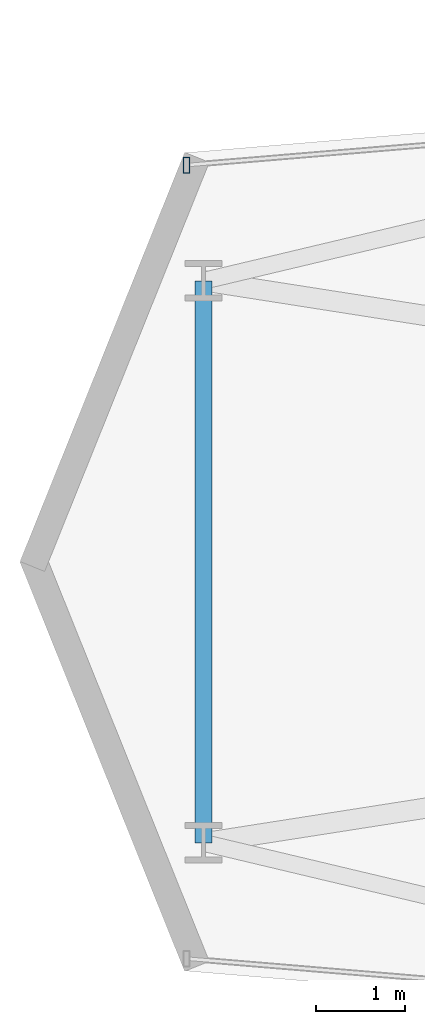
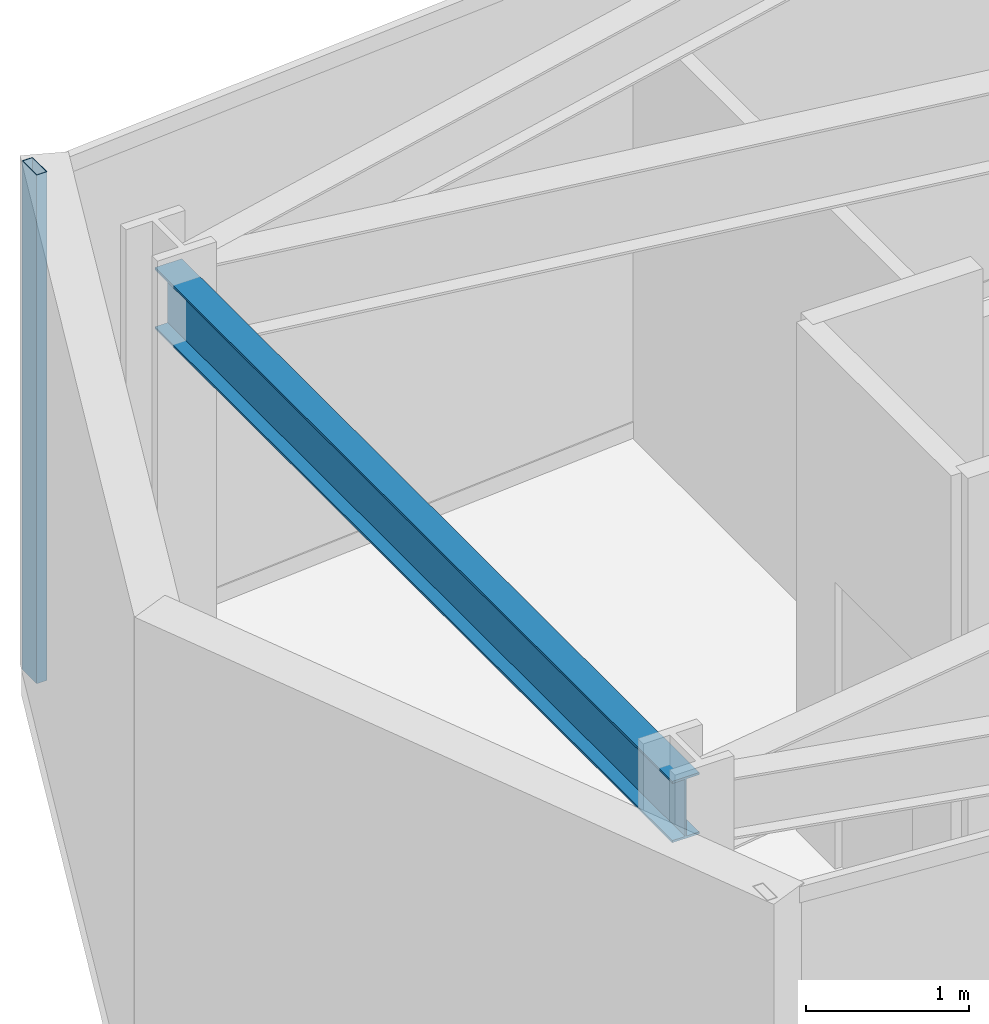
# One storey, part 6 of 26: 1 beam, 1 member, 1 element without a shape of its own.
"""IFC4 building model written with IfcOpenShell, lengths in metres."""

from ifc_helpers import new_model, si_unit, direction, frame, origin, origin_2d, place, context, subcontext, project, spatial, hollow_rectangle, i_section, extrude, material, layer, layer_set, material_profile, profile_set, type_object, element, aggregate, save


model = new_model("IFC4")

# Units and contexts
model_context = context("Model", 3, precision=1e-05, world=origin(), true_north=direction((0.0, 1.0)))
body_context = subcontext(model_context, "Body", "Model", "MODEL_VIEW")
ifc_project = project(units=[si_unit("LENGTHUNIT", "METRE"), si_unit("AREAUNIT", "SQUARE_METRE"), si_unit("VOLUMEUNIT", "CUBIC_METRE"), si_unit("PLANEANGLEUNIT", "RADIAN"), si_unit("MASSUNIT", "GRAM", prefix="KILO")], contexts=[model_context])

# Site, building, storey
site_placement = place(None, origin())
site = spatial("IfcSite", under=ifc_project, at=site_placement, CompositionType="ELEMENT")
building_placement = place(site_placement, origin())
building = spatial("IfcBuilding", under=site, at=building_placement, Name="Veymaron Broadcast Tower", CompositionType="ELEMENT")
storey_placement = place(building_placement, frame((0.0, 0.0, 133.050048828125)))
storey = spatial("IfcBuildingStorey", under=building, at=storey_placement, Name="L30", CompositionType="ELEMENT", Elevation=133.050048828125)

# Beam
ifc_material_1 = material(Name="Structural steel ASTM A992 Gr 50", Category="steel")
ifc_material_profile_1 = material_profile(ifc_material_1, i_section(OverallWidth=0.19091796875, OverallDepth=0.4599609375, WebThickness=0.010009765625, FlangeThickness=0.01611328125, at=origin_2d()), Name="W460X82")
ifc_profile_set_1 = profile_set([ifc_material_profile_1], Name="Structural steel ASTM A992 Gr 50")
beam_type = type_object("IfcBeamType", Name="BM-SP1", PredefinedType="SPANDREL", material=ifc_profile_set_1)
beam_placement = place(storey_placement, frame((10.905029296875, 20.824951171875, 3.579833984375), z_axis=(0.0, 1.0, 0.0), x_axis=(-1.0, 0.0, 0.0)))
element("IfcBeam", 1, at=beam_placement, inside=storey, type_object=beam_type, Name="L30 primary structural floor girder", PredefinedType="SPANDREL", context=body_context, shape_type="SweptSolid", body=[
    extrude(i_section(OverallWidth=0.19091796875, OverallDepth=0.4599609375, WebThickness=0.010009765625, FlangeThickness=0.01611328125, at=origin_2d()), origin(), (0.0, 0.0, 1.0), 6.35009765625),
])

# Curtain wall, member
ifc_material_2 = material(Name="Anodised aluminium AA 6063-T6 and laminated low-E dark glass", Category="aluminium")
ifc_layer = layer(ifc_material_2, 0.179931640625)
ifc_layer_set = layer_set([ifc_layer], Name="Anodised aluminium AA 6063-T6 and laminated low-E dark glass")
curtain_wall_type = type_object("IfcCurtainWallType", Name="CW-SYS-03", PredefinedType="NOTDEFINED", material=ifc_layer_set)
curtain_wall_placement = place(storey_placement, origin())
curtain_wall = element("IfcCurtainWall", 2, at=curtain_wall_placement, inside=storey, type_object=curtain_wall_type, Name="L30 dark-glass curtain wall CW-L30-E11-1", PredefinedType="NOTDEFINED")
ifc_material_3 = material(Name="Anodised aluminium AA 6063-T6", Category="aluminium")
ifc_material_profile_2 = material_profile(ifc_material_3, hollow_rectangle(XDim=0.074951171875, YDim=0.179931640625, WallThickness=0.0048828125, at=origin_2d()), Name="AL180X75X5")
ifc_profile_set_2 = profile_set([ifc_material_profile_2], Name="Anodised aluminium AA 6063-T6")
member_type = type_object("IfcMemberType", Name="CW-MUL-02", PredefinedType="MULLION", material=ifc_profile_set_2)
member_placement = place(storey_placement, frame((10.711669921875, 28.482666015625, 0.0), z_axis=(0.0, 0.0, 1.0), x_axis=(1.0, 0.0, 0.0)))
member = element("IfcMember", 3, at=member_placement, type_object=member_type, Name="CW-L30-E11-1 mullion 2", PredefinedType="MULLION", context=body_context, shape_type="SweptSolid", body=[
    extrude(hollow_rectangle(XDim=0.074951171875, YDim=0.179931640625, WallThickness=0.0048828125, at=origin_2d()), origin(), (0.0, 0.0, 1.0), 3.81005859375),
])
aggregate(curtain_wall, [member])

save(model, "model.ifc")
